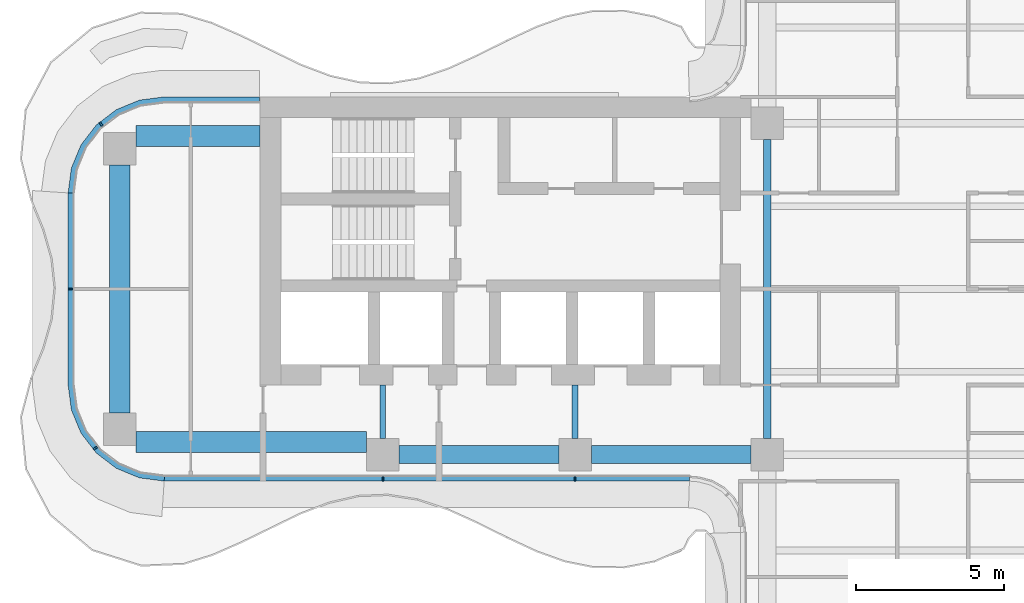
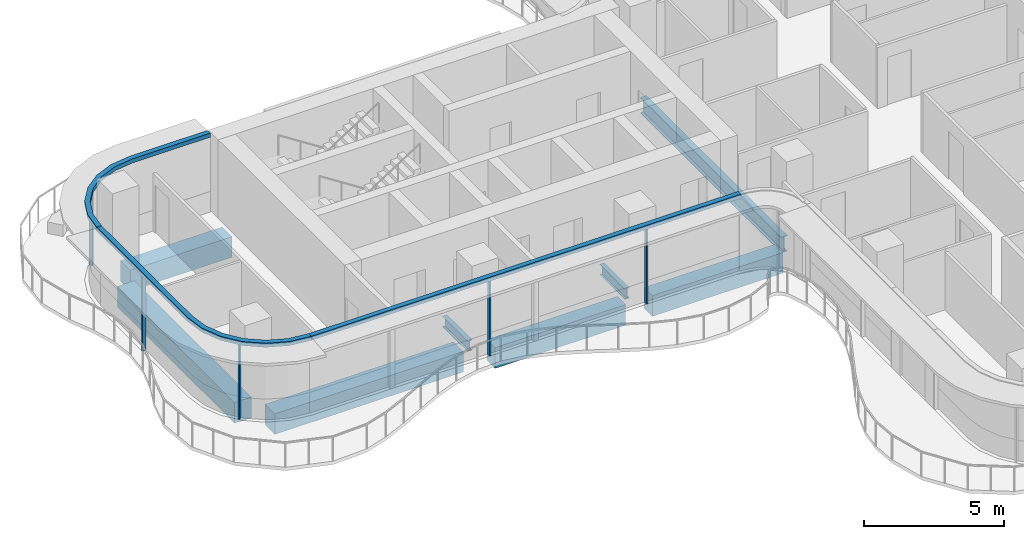
# One storey, part 3 of 16: 8 beams, 8 members, 3 elements without a shape of their own.
"""IFC4 building model written with IfcOpenShell, lengths in metres."""

from ifc_helpers import new_model, si_unit, direction, frame, origin, origin_2d, place, context, subcontext, project, spatial, polyline, rectangle, i_section, outline, extrude, source, transform, mapped, material, layer, layer_set, material_profile, profile_set, type_object, element, aggregate, save


model = new_model("IFC4")

# Units and contexts
model_context = context("Model", 3, precision=1e-05, world=origin(), true_north=direction((0.0, 1.0)))
body_context = subcontext(model_context, "Body", "Model", "MODEL_VIEW")
ifc_project = project(units=[si_unit("LENGTHUNIT", "METRE"), si_unit("AREAUNIT", "SQUARE_METRE"), si_unit("VOLUMEUNIT", "CUBIC_METRE"), si_unit("PLANEANGLEUNIT", "RADIAN"), si_unit("MASSUNIT", "GRAM", prefix="KILO")], contexts=[model_context])

# Site, building, storey
site_placement = place(None, origin())
site = spatial("IfcSite", under=ifc_project, at=site_placement, CompositionType="ELEMENT")
building_placement = place(site_placement, origin())
building = spatial("IfcBuilding", under=site, at=building_placement, Name="Trellis Farm Tower", CompositionType="ELEMENT")
storey_placement = place(building_placement, frame((0.0, 0.0, 267.5)))
storey = spatial("IfcBuildingStorey", under=building, at=storey_placement, Name="L60", CompositionType="ELEMENT", Elevation=267.5)

# Beams
ifc_material_1 = material(Name="Steel S355", Category="steel")
ifc_material_profile_1 = material_profile(ifc_material_1, i_section(OverallWidth=0.253662109375, OverallDepth=0.68359375, WebThickness=0.012451171875, FlangeThickness=0.021728515625, FilletRadius=0.01513671875, at=origin_2d()), Name="UB 686x254x140")
ifc_profile_set_1 = profile_set([ifc_material_profile_1], Name="Steel S355")
beam_type_1 = type_object("IfcBeamType", Name="UB 686x254x140", PredefinedType="BEAM", material=ifc_profile_set_1)
shared_shape_1 = source(origin(), body_context, "Body", "SweptSolid", [
    extrude(i_section(OverallWidth=0.253662109375, OverallDepth=0.68359375, WebThickness=0.012451171875, FlangeThickness=0.021728515625, FilletRadius=0.01513671875, at=origin_2d()), origin(), (0.0, 0.0, 1.0), 10.10009765625),
])
beam_1_placement = place(storey_placement, frame((-5.60009765625, -5.050048828125, -0.541748046875), z_axis=(0.0, 1.0, 0.0), x_axis=(-1.0, 0.0, 0.0)))
element("IfcBeam", 1, at=beam_1_placement, inside=storey, type_object=beam_type_1, Name="Girder", PredefinedType="BEAM", context=body_context, shape_type="MappedRepresentation", body=[
    mapped(shared_shape_1, transform((0.0, 0.0, 0.0))),
])
ifc_material_profile_2 = material_profile(ifc_material_1, i_section(OverallWidth=0.1904296875, OverallDepth=0.45703125, WebThickness=0.009033203125, FlangeThickness=0.014404296875, FilletRadius=0.01025390625, at=origin_2d()), Name="UB 457x191x74")
ifc_profile_set_2 = profile_set([ifc_material_profile_2], Name="Steel S355")
beam_type_2 = type_object("IfcBeamType", Name="UB 457x191x74", PredefinedType="BEAM", material=ifc_profile_set_2)
shared_shape_2 = source(origin(), body_context, "Body", "SweptSolid", [
    extrude(i_section(OverallWidth=0.1904296875, OverallDepth=0.45703125, WebThickness=0.009033203125, FlangeThickness=0.014404296875, FilletRadius=0.01025390625, at=origin_2d()), origin(), (0.0, 0.0, 1.0), 1.800048828125),
])
for number, where, z_axis, x_axis, name in (
    (2, (-18.60009765625, -5.050048828125, -0.428466796875), (0.0, 1.0, 0.0), (-1.0, 0.0, 0.0), "Girder"),
    (3, (-12.10009765625, -5.050048828125, -0.428466796875), (0.0, 1.0, 0.0), (-1.0, 0.0, 0.0), "Girder"),
):
    element("IfcBeam", number, at=place(storey_placement, frame(where, z_axis=z_axis, x_axis=x_axis)), inside=storey, type_object=beam_type_2, Name=name, PredefinedType="BEAM", context=body_context, shape_type="MappedRepresentation", body=[
        mapped(shared_shape_2, transform((0.0, 0.0, 0.0))),
    ])
ifc_material_2 = material(Name="Concrete C60/75", Category="concrete")
ifc_material_profile_3 = material_profile(ifc_material_2, rectangle(XDim=0.60009765625, YDim=0.89990234375, at=origin_2d()), Name="RC spandrel beam 600x900 C60/75")
ifc_profile_set_3 = profile_set([ifc_material_profile_3], Name="Concrete C60/75")
beam_type_3 = type_object("IfcBeamType", Name="RC spandrel beam 600x900 C60/75", PredefinedType="SPANDREL", material=ifc_profile_set_3)
shared_shape_3 = source(origin(), body_context, "Body", "SweptSolid", [
    extrude(rectangle(XDim=0.60009765625, YDim=0.89990234375, at=origin_2d()), origin(), (0.0, 0.0, 1.0), 5.400146484375),
])
for number, where, z_axis, x_axis, name in (
    (4, (-18.050048828125, -5.60009765625, -0.64990234375), (1.0, 0.0, 0.0), (0.0, 1.0, 0.0), "Girder"),
    (5, (-11.550048828125, -5.60009765625, -0.64990234375), (1.0, 0.0, 0.0), (0.0, 1.0, 0.0), "Girder"),
):
    element("IfcBeam", number, at=place(storey_placement, frame(where, z_axis=z_axis, x_axis=x_axis)), inside=storey, type_object=beam_type_3, Name=name, PredefinedType="SPANDREL", context=body_context, shape_type="MappedRepresentation", body=[
        mapped(shared_shape_3, transform((0.0, 0.0, 0.0))),
    ])
ifc_material_profile_4 = material_profile(ifc_material_2, rectangle(XDim=0.699951171875, YDim=0.89990234375, at=origin_2d()), Name="RC spandrel beam 700x900 C60/75")
ifc_profile_set_4 = profile_set([ifc_material_profile_4], Name="Concrete C60/75")
beam_type_4 = type_object("IfcBeamType", Name="RC spandrel beam 700x900 C60/75", PredefinedType="SPANDREL", material=ifc_profile_set_4)
shared_shape_4 = source(origin(), body_context, "Body", "SweptSolid", [
    extrude(rectangle(XDim=0.699951171875, YDim=0.89990234375, at=origin_2d()), origin(), (0.0, 0.0, 1.0), 8.39990234375),
])
beam_2_placement = place(storey_placement, frame((-27.5, -4.199951171875, -0.64990234375), z_axis=(0.0, 1.0, 0.0), x_axis=(-1.0, 0.0, 0.0)))
element("IfcBeam", 6, at=beam_2_placement, inside=storey, type_object=beam_type_4, Name="Girder", PredefinedType="SPANDREL", context=body_context, shape_type="MappedRepresentation", body=[
    mapped(shared_shape_4, transform((0.0, 0.0, 0.0))),
])
shared_shape_5 = source(origin(), body_context, "Body", "SweptSolid", [
    extrude(rectangle(XDim=0.699951171875, YDim=0.89990234375, at=origin_2d()), origin(), (0.0, 0.0, 1.0), 7.800048828125),
])
beam_3_placement = place(storey_placement, frame((-26.949951171875, -5.175048828125, -0.64990234375), z_axis=(1.0, 0.0, 0.0), x_axis=(0.0, 1.0, 0.0)))
element("IfcBeam", 7, at=beam_3_placement, inside=storey, type_object=beam_type_4, Name="Girder", PredefinedType="SPANDREL", context=body_context, shape_type="MappedRepresentation", body=[
    mapped(shared_shape_5, transform((0.0, 0.0, 0.0))),
])
shared_shape_6 = source(origin(), body_context, "Body", "SweptSolid", [
    extrude(rectangle(XDim=0.699951171875, YDim=0.89990234375, at=origin_2d()), origin(), (0.0, 0.0, 1.0), 4.199951171875),
])
beam_4_placement = place(storey_placement, frame((-26.949951171875, 5.175048828125, -0.64990234375), z_axis=(1.0, 0.0, 0.0), x_axis=(0.0, 1.0, 0.0)))
element("IfcBeam", 8, at=beam_4_placement, inside=storey, type_object=beam_type_4, Name="Girder", PredefinedType="SPANDREL", context=body_context, shape_type="MappedRepresentation", body=[
    mapped(shared_shape_6, transform((0.0, 0.0, 0.0))),
])

# Curtain wall, member
ifc_material_3 = material(Name="Aluminium and glass curtain wall", Category="aluminium")
ifc_layer_1 = layer(ifc_material_3, 0.18994140625)
ifc_layer_set_1 = layer_set([ifc_layer_1], Name="RIBBON CURTAIN WALL CW1")
curtain_wall_type = type_object("IfcCurtainWallType", Name="RIBBON CURTAIN WALL CW1", PredefinedType="NOTDEFINED", material=ifc_layer_set_1)
placement_1 = place(storey_placement, origin())
curtain_wall_1 = element("IfcCurtainWall", 9, at=placement_1, inside=storey, type_object=curtain_wall_type, Name="CW1 001", PredefinedType="NOTDEFINED")
ifc_material_4 = material(Name="Aluminium extrusion 6063-T6", Category="aluminium")
ifc_layer_2 = layer(ifc_material_4, 0.199951171875)
ifc_layer_set_2 = layer_set([ifc_layer_2], Name="Aluminium extrusion 6063-T6")
member_type_1 = type_object("IfcMemberType", Name="CW1 TRANSOM 200x180", PredefinedType="USERDEFINED", material=ifc_layer_set_2)
shared_shape_7 = source(origin(), body_context, "Body", "SweptSolid", [
    extrude(outline(polyline([(-26.0, -6.5), (-8.2314453125, -6.5), (-8.224853515625, -6.300048828125), (-25.98681640625, -6.300048828125), (-26.0, -6.5)])), origin(), (0.0, 0.0, 1.0), 0.179931640625),
])
placement_2 = place(storey_placement, frame((0.0, 0.0, 3.27001953125)))
member_1 = element("IfcMember", 10, at=placement_2, type_object=member_type_1, Name="TR1 001", ObjectType="TRANSOM", PredefinedType="USERDEFINED", context=body_context, shape_type="MappedRepresentation", body=[
    mapped(shared_shape_7, transform((0.0, 0.0, 0.0))),
])

curtain_wall_2 = element("IfcCurtainWall", 11, at=placement_1, inside=storey, type_object=curtain_wall_type, Name="CW1 012", PredefinedType="NOTDEFINED")
shared_shape_8 = source(origin(), body_context, "Body", "SweptSolid", [
    extrude(outline(polyline([(-22.780029296875, 6.5), (-26.0, 6.5), (-26.841064453125, 6.38916015625), (-27.625, 6.064697265625), (-28.298095703125, 5.548095703125), (-28.814697265625, 4.875), (-29.13916015625, 4.091064453125), (-29.25, 3.25), (-29.050048828125, 3.23681640625), (-28.9443359375, 4.0390625), (-28.639892578125, 4.774169921875), (-28.155517578125, 5.405517578125), (-27.524169921875, 5.889892578125), (-26.7890625, 6.1943359375), (-25.98681640625, 6.300048828125), (-22.780029296875, 6.300048828125), (-22.780029296875, 6.5)])), origin(), (0.0, 0.0, 1.0), 0.179931640625),
])
member_2 = element("IfcMember", 12, at=placement_2, type_object=member_type_1, Name="TR1 012", ObjectType="TRANSOM", PredefinedType="USERDEFINED", context=body_context, shape_type="MappedRepresentation", body=[
    mapped(shared_shape_8, transform((0.0, 0.0, 0.0))),
])

curtain_wall_3 = element("IfcCurtainWall", 13, at=placement_1, inside=storey, type_object=curtain_wall_type, Name="CW1 013", PredefinedType="NOTDEFINED")
shared_shape_9 = source(origin(), body_context, "Body", "SweptSolid", [
    extrude(outline(polyline([(-29.25, 3.25), (-29.25, -3.25), (-29.13916015625, -4.091064453125), (-28.814697265625, -4.875), (-28.298095703125, -5.548095703125), (-27.625, -6.064697265625), (-26.841064453125, -6.38916015625), (-26.0, -6.5), (-25.98681640625, -6.300048828125), (-26.7890625, -6.1943359375), (-27.524169921875, -5.889892578125), (-28.155517578125, -5.405517578125), (-28.639892578125, -4.774169921875), (-28.9443359375, -4.0390625), (-29.050048828125, -3.23681640625), (-29.050048828125, 3.23681640625), (-29.25, 3.25)])), origin(), (0.0, 0.0, 1.0), 0.179931640625),
])
member_3 = element("IfcMember", 14, at=placement_2, type_object=member_type_1, Name="TR1 013", ObjectType="TRANSOM", PredefinedType="USERDEFINED", context=body_context, shape_type="MappedRepresentation", body=[
    mapped(shared_shape_9, transform((0.0, 0.0, 0.0))),
])

# Member
ifc_material_profile_5 = material_profile(ifc_material_4, rectangle(XDim=0.06005859375, YDim=0.14990234375, at=origin_2d()), Name="MULLION 60x150")
ifc_profile_set_5 = profile_set([ifc_material_profile_5], Name="Aluminium extrusion 6063-T6")
member_type_2 = type_object("IfcMemberType", Name="CW1 MULLION 60x150", PredefinedType="MULLION", material=ifc_profile_set_5)
shared_shape_10 = source(origin(), body_context, "Body", "SweptSolid", [
    extrude(rectangle(XDim=0.06005859375, YDim=0.14990234375, at=origin_2d()), origin(), (0.0, 0.0, 1.0), 3.27001953125),
])
member_4_placement = place(storey_placement, frame((-18.60009765625, -6.425048828125, 0.0), z_axis=(0.0, 0.0, 1.0), x_axis=(1.0, 0.0, 0.0)))
member_4 = element("IfcMember", 15, at=member_4_placement, type_object=member_type_2, Name="MU1 001-01", PredefinedType="MULLION", context=body_context, shape_type="MappedRepresentation", body=[
    mapped(shared_shape_10, transform((0.0, 0.0, 0.0))),
])

member_5_placement = place(storey_placement, frame((-12.10009765625, -6.425048828125, 0.0), z_axis=(0.0, 0.0, 1.0), x_axis=(1.0, 0.0, 0.0)))
member_5 = element("IfcMember", 16, at=member_5_placement, type_object=member_type_2, Name="MU1 001-02", PredefinedType="MULLION", context=body_context, shape_type="MappedRepresentation", body=[
    mapped(shared_shape_10, transform((0.0, 0.0, 0.0))),
])

aggregate(curtain_wall_1, [member_4, member_5, member_1])

member_6_placement = place(storey_placement, frame((-28.135498046875, 5.578369140625, 0.0), z_axis=(0.0, 0.0, 1.0), x_axis=(-0.793353340291, -0.608761429009, 0.0)))
member_6 = element("IfcMember", 17, at=member_6_placement, type_object=member_type_2, Name="MU1 012-01", PredefinedType="MULLION", context=body_context, shape_type="MappedRepresentation", body=[
    mapped(shared_shape_10, transform((0.0, 0.0, 0.0))),
])

aggregate(curtain_wall_2, [member_6, member_2])

member_7_placement = place(storey_placement, frame((-29.175048828125, 0.0, 0.0), z_axis=(0.0, 0.0, 1.0), x_axis=(0.0, -1.0, 0.0)))
member_7 = element("IfcMember", 18, at=member_7_placement, type_object=member_type_2, Name="MU1 013-01", PredefinedType="MULLION", context=body_context, shape_type="MappedRepresentation", body=[
    mapped(shared_shape_10, transform((0.0, 0.0, 0.0))),
])

member_8_placement = place(storey_placement, frame((-28.328369140625, -5.385498046875, 0.0), z_axis=(0.0, 0.0, 1.0), x_axis=(0.608761429009, -0.793353340291, 0.0)))
member_8 = element("IfcMember", 19, at=member_8_placement, type_object=member_type_2, Name="MU1 013-02", PredefinedType="MULLION", context=body_context, shape_type="MappedRepresentation", body=[
    mapped(shared_shape_10, transform((0.0, 0.0, 0.0))),
])

aggregate(curtain_wall_3, [member_7, member_8, member_3])

save(model, "model.ifc")
